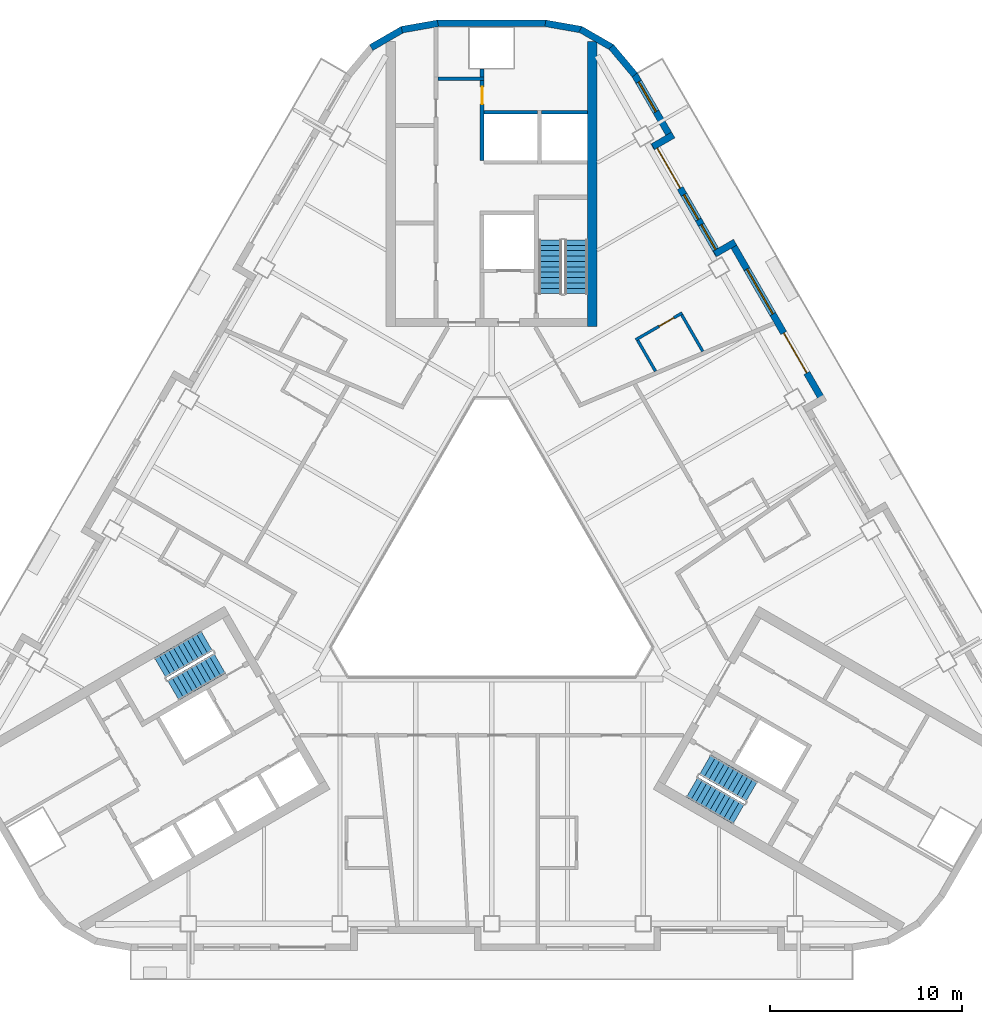
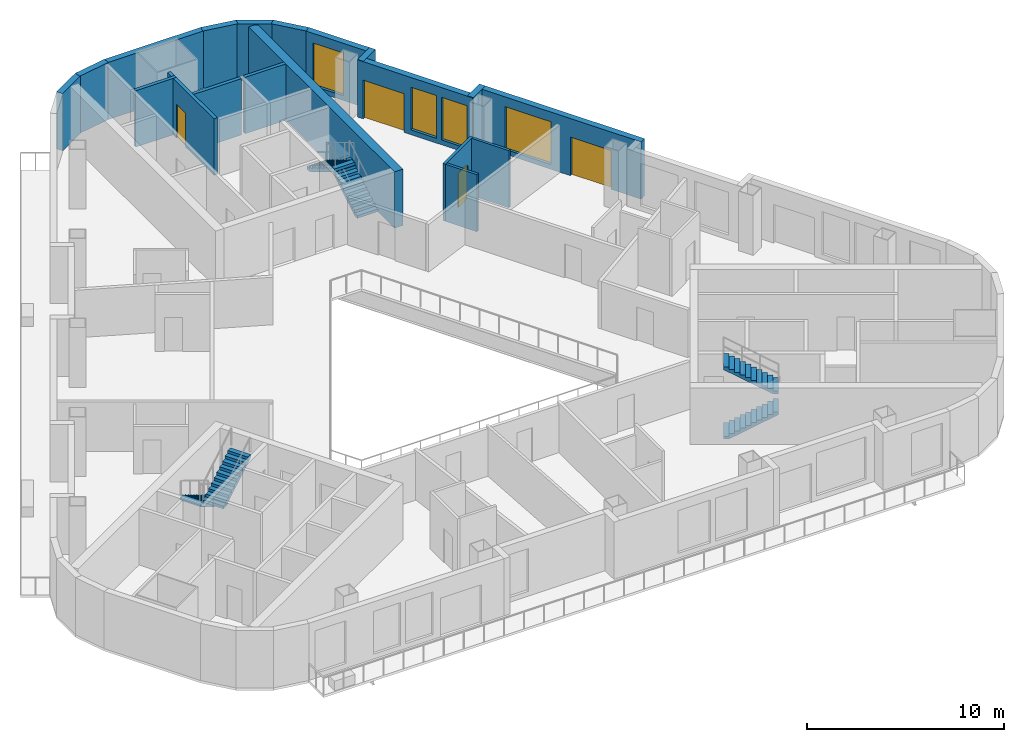
# One storey, part 7 of 13: 20 walls, 6 stair flights, 4 doors, 4 windows, 8 openings, 3 elements without a shape of their own.
"""IFC4 building model written with IfcOpenShell, lengths in metres."""

from ifc_helpers import new_model, si_unit, direction, frame, frame_2d, origin, place, context, subcontext, project, spatial, polyline, rectangle, outline, extrude, material, layer, layer_set, type_object, element, fill, aggregate, save


model = new_model("IFC4")

# Units and contexts
model_context = context("Model", 3, precision=1e-05, world=origin(), true_north=direction((0.0, 1.0)))
body_context = subcontext(model_context, "Body", "Model", "MODEL_VIEW")
ifc_project = project(units=[si_unit("LENGTHUNIT", "METRE"), si_unit("AREAUNIT", "SQUARE_METRE"), si_unit("VOLUMEUNIT", "CUBIC_METRE"), si_unit("PLANEANGLEUNIT", "RADIAN"), si_unit("MASSUNIT", "GRAM", prefix="KILO")], contexts=[model_context])

# Site, building, storey
site_placement = place(None, origin())
site = spatial("IfcSite", under=ifc_project, at=site_placement, CompositionType="ELEMENT")
building_placement = place(site_placement, origin())
building = spatial("IfcBuilding", under=site, at=building_placement, Name="Apuvela Tower Hotel", CompositionType="ELEMENT")
storey_placement = place(building_placement, frame((0.0, 0.0, 165.10009765625)))
storey = spatial("IfcBuildingStorey", under=building, at=storey_placement, Name="L39", CompositionType="ELEMENT", Elevation=165.10009765625)

# Walls
ifc_material_1 = material(Name="Concrete C50/60", Category="concrete")
ifc_layer_1 = layer(ifc_material_1, 0.5)
ifc_layer_set_1 = layer_set([ifc_layer_1], Name="COR-WALL-CORE-500")
wall_type_1 = type_object("IfcWallType", Name="COR-WALL-CORE-500", PredefinedType="SHEAR", material=ifc_layer_set_1)
wall_1_placement = place(storey_placement, frame((5.25, 12.89990234375, 0.0), z_axis=(0.0, 0.0, 1.0), x_axis=(0.0, 1.0, 0.0)))
element("IfcWall", 1, at=wall_1_placement, inside=storey, type_object=wall_type_1, Name="Core wall N", PredefinedType="SHEAR", context=body_context, shape_type="SweptSolid", body=[
    extrude(rectangle(XDim=14.8369140625, YDim=0.5, at=frame_2d((7.41845703125, 0.0))), origin(), (0.0, 0.0, 1.0), 3.5),
])
ifc_layer_2 = layer(ifc_material_1, 0.199951171875)
ifc_layer_set_2 = layer_set([ifc_layer_2], Name="COR-WALL-SHAFT-200")
wall_type_2 = type_object("IfcWallType", Name="COR-WALL-SHAFT-200", PredefinedType="SHEAR", material=ifc_layer_set_2)
wall_2_placement = place(storey_placement, frame((-0.39990234375, 25.800048828125, 0.0), z_axis=(0.0, 0.0, 1.0), x_axis=(-1.0, 0.0, 0.0)))
element("IfcWall", 2, at=wall_2_placement, inside=storey, type_object=wall_type_2, Name="Shaft wall N", PredefinedType="SHEAR", context=body_context, shape_type="SweptSolid", body=[
    extrude(rectangle(XDim=2.400146484375, YDim=0.199951171875, at=frame_2d((1.2001953125, 0.0))), origin(), (0.0, 0.0, 1.0), 3.5),
])

# Wall, opening, door
wall_3_placement = place(storey_placement, frame((-0.5, 21.550048828125, 0.0), z_axis=(0.0, 0.0, 1.0), x_axis=(0.0, 1.0, 0.0)))
wall_3 = element("IfcWall", 3, at=wall_3_placement, inside=storey, type_object=wall_type_2, Name="Shaft wall N", PredefinedType="SHEAR", context=body_context, shape_type="SweptSolid", body=[
    extrude(rectangle(XDim=4.14990234375, YDim=0.199951171875, at=frame_2d((2.074951171875, 0.0))), origin(), (0.0, 0.0, 1.0), 3.5),
])
opening_1_placement = place(wall_3_placement, frame((2.925048828125, 0.0, 0.0)))
opening_1 = element("IfcOpeningElement", 4, at=opening_1_placement, cuts=wall_3, Name="Opening N-RSP", PredefinedType="OPENING", context=body_context, shape_type="SweptSolid", body=[
    extrude(rectangle(XDim=0.89990234375, YDim=2.10009765625, at=frame_2d((0.449951171875, 1.050048828125))), frame((0.0, 0.10986328125, 0.0), z_axis=(0.0, -1.0, 0.0), x_axis=(1.0, 0.0, 0.0)), (0.0, 0.0, 1.0), 0.219970703125),
])
ifc_material_2 = material(Name="Steel fire door, powder coated", Category="steel")
door_type_1 = type_object("IfcDoorType", Name="COR-DR-900", OperationType="NOTDEFINED", PredefinedType="DOOR", material=ifc_material_2)
door_1_placement = place(opening_1_placement, frame((0.89990234375, 0.0, 0.0), z_axis=(0.0, 0.0, 1.0), x_axis=(-1.0, 0.0, 0.0)))
door_1 = element("IfcDoor", 5, at=door_1_placement, inside=storey, type_object=door_type_1, Name="Store door N-RSP", OperationType="SINGLE_SWING_LEFT", OverallHeight=2.10009765625, OverallWidth=0.89990234375, PredefinedType="DOOR", context=body_context, shape_type="SweptSolid", body=[
    extrude(rectangle(XDim=0.89990234375, YDim=2.10009765625, at=frame_2d((0.449951171875, 1.050048828125))), frame((0.0, 0.02490234375, 0.0), z_axis=(0.0, -1.0, 0.0), x_axis=(1.0, 0.0, 0.0)), (0.0, 0.0, 1.0), 0.050048828125),
])
fill(opening_1, door_1)

# Walls
wall_4_placement = place(storey_placement, frame((-0.5, 25.89990234375, 0.0), z_axis=(0.0, 0.0, 1.0), x_axis=(0.0, 1.0, 0.0)))
element("IfcWall", 6, at=wall_4_placement, inside=storey, type_object=wall_type_2, Name="Shaft wall N", PredefinedType="SHEAR", context=body_context, shape_type="SweptSolid", body=[
    extrude(rectangle(XDim=0.400146484375, YDim=0.199951171875, at=frame_2d((0.2001953125, 0.0))), origin(), (0.0, 0.0, 1.0), 3.5),
])
wall_5_placement = place(storey_placement, frame((5.0, 24.050048828125, 0.0), z_axis=(0.0, 0.0, 1.0), x_axis=(-1.0, 0.0, 0.0)))
element("IfcWall", 7, at=wall_5_placement, inside=storey, type_object=wall_type_2, Name="Shaft wall N", PredefinedType="SHEAR", context=body_context, shape_type="SweptSolid", body=[
    extrude(rectangle(XDim=2.39990234375, YDim=0.199951171875, at=frame_2d((1.199951171875, 0.0))), origin(), (0.0, 0.0, 1.0), 3.5),
])
wall_6_placement = place(storey_placement, frame((2.39990234375, 24.050048828125, 0.0), z_axis=(0.0, 0.0, 1.0), x_axis=(-1.0, 0.0, 0.0)))
element("IfcWall", 8, at=wall_6_placement, inside=storey, type_object=wall_type_2, Name="Shaft wall N", PredefinedType="SHEAR", context=body_context, shape_type="SweptSolid", body=[
    extrude(rectangle(XDim=2.7998046875, YDim=0.199951171875, at=frame_2d((1.39990234375, 0.0))), origin(), (0.0, 0.0, 1.0), 3.5),
])

# Wall, openings, door, window
ifc_material_3 = material(Name="Concrete C40/50, dark pigmented precast panel", Category="concrete")
ifc_layer_3 = layer(ifc_material_3, 0.35009765625)
ifc_layer_set_3 = layer_set([ifc_layer_3], Name="ENV-WALL-350")
wall_type_3 = type_object("IfcWallType", Name="ENV-WALL-350", PredefinedType="SOLIDWALL", material=ifc_layer_set_3)
wall_7_placement = place(storey_placement, frame((17.298583984375, 8.947998046875, 0.0), z_axis=(0.0, 0.0, 1.0), x_axis=(-0.500010041276, 0.866019606374, 0.0)))
wall_7 = element("IfcWall", 9, at=wall_7_placement, inside=storey, type_object=wall_type_3, Name="External wall L39-37", PredefinedType="SOLIDWALL", context=body_context, shape_type="SweptSolid", body=[
    extrude(rectangle(XDim=9.699951171875, YDim=0.35009765625, at=frame_2d((4.85009765625, 0.0))), origin(), (0.0, 0.0, 1.0), 3.5498046875),
])
opening_2_placement = place(wall_7_placement, frame((1.761962890625, 0.0, 0.0)))
opening_2 = element("IfcOpeningElement", 10, at=opening_2_placement, cuts=wall_7, Name="Opening BD24", PredefinedType="OPENING", context=body_context, shape_type="SweptSolid", body=[
    extrude(rectangle(XDim=2.39990234375, YDim=2.39990234375, at=frame_2d((1.199951171875, 1.199951171875))), frame((0.0, 0.18505859375, 0.0), z_axis=(0.0, -1.0, 0.0), x_axis=(1.0, 0.0, 0.0)), (0.0, 0.0, 1.0), 0.3701171875),
])
opening_3_placement = place(wall_7_placement, frame((5.301025390625, 0.0, 0.300048828125)))
opening_3 = element("IfcOpeningElement", 11, at=opening_3_placement, cuts=wall_7, Name="Opening WN27", PredefinedType="OPENING", context=body_context, shape_type="SweptSolid", body=[
    extrude(rectangle(XDim=2.699951171875, YDim=2.64990234375, at=frame_2d((1.35009765625, 1.324951171875))), frame((0.0, 0.18505859375, 0.0), z_axis=(0.0, -1.0, 0.0), x_axis=(1.0, 0.0, 0.0)), (0.0, 0.0, 1.0), 0.3701171875),
])
ifc_material_4 = material(Name="Aluminium 6063-T6, dark bronze anodised frame with dark tinted laminated glass", Category="aluminium")
door_type_2 = type_object("IfcDoorType", Name="ENV-DOOR-BALCONY-2400x2400", OperationType="SLIDING_TO_LEFT", PredefinedType="DOOR", material=ifc_material_4)
door_2_placement = place(opening_2_placement, frame((2.39990234375, 0.0, 0.0), z_axis=(0.0, 0.0, 1.0), x_axis=(-1.0, 0.0, 0.0)))
door_2 = element("IfcDoor", 12, at=door_2_placement, inside=storey, type_object=door_type_2, Name="Balcony door BD24", OperationType="SLIDING_TO_LEFT", OverallHeight=2.39990234375, OverallWidth=2.39990234375, PredefinedType="DOOR", context=body_context, shape_type="SweptSolid", body=[
    extrude(rectangle(XDim=2.39990234375, YDim=2.39990234375, at=frame_2d((1.199951171875, 1.199951171875))), frame((0.0, 0.02490234375, 0.0), z_axis=(0.0, -1.0, 0.0), x_axis=(1.0, 0.0, 0.0)), (0.0, 0.0, 1.0), 0.050048828125),
])
fill(opening_2, door_2)
ifc_material_5 = material(Name="Glass, dark tinted laminated insulated glazing unit", Category="glass")
window_type_1 = type_object("IfcWindowType", Name="ENV-WIN-2700x2650", PartitioningType="SINGLE_PANEL", PredefinedType="WINDOW", material=ifc_material_5)
window_1_placement = place(opening_3_placement, origin())
window_1 = element("IfcWindow", 13, at=window_1_placement, inside=storey, type_object=window_type_1, Name="Window WN27", OverallHeight=2.64990234375, OverallWidth=2.699951171875, PartitioningType="SINGLE_PANEL", PredefinedType="WINDOW", context=body_context, shape_type="SweptSolid", body=[
    extrude(rectangle(XDim=2.699951171875, YDim=2.64990234375, at=frame_2d((1.35009765625, 1.324951171875))), frame((0.0, 0.030029296875, 0.0), z_axis=(0.0, -1.0, 0.0), x_axis=(1.0, 0.0, 0.0)), (0.0, 0.0, 1.0), 0.06005859375),
])
fill(opening_3, window_1)

# Wall
wall_8_placement = place(storey_placement, frame((12.6875, 17.284423828125, 0.0), z_axis=(0.0, 0.0, 1.0), x_axis=(-0.865955602162, -0.500120880472, 0.0)))
element("IfcWall", 14, at=wall_8_placement, inside=storey, type_object=wall_type_3, Name="External wall L39-38", PredefinedType="SOLIDWALL", context=body_context, shape_type="SweptSolid", body=[
    extrude(rectangle(XDim=1.219970703125, YDim=0.35009765625, at=frame_2d((0.60986328125, 0.0))), origin(), (0.0, 0.0, 1.0), 3.5498046875),
])

# Wall, openings, door, windows
wall_9_placement = place(storey_placement, frame((11.8291015625, 16.621337890625, 0.0), z_axis=(0.0, 0.0, 1.0), x_axis=(-0.500003597184, 0.866023326939, 0.0)))
wall_9 = element("IfcWall", 15, at=wall_9_placement, inside=storey, type_object=wall_type_3, Name="External wall L39-39", PredefinedType="SOLIDWALL", context=body_context, shape_type="SweptSolid", body=[
    extrude(rectangle(XDim=6.740234375, YDim=0.35009765625, at=frame_2d((3.3701171875, 0.0))), origin(), (0.0, 0.0, 1.0), 3.5498046875),
])
opening_4_placement = place(wall_9_placement, frame((4.01953125, 0.0, 0.0)))
opening_4 = element("IfcOpeningElement", 16, at=opening_4_placement, cuts=wall_9, Name="Opening BD24", PredefinedType="OPENING", context=body_context, shape_type="SweptSolid", body=[
    extrude(rectangle(XDim=2.39990234375, YDim=2.39990234375, at=frame_2d((1.199951171875, 1.199951171875))), frame((0.0, 0.18505859375, 0.0), z_axis=(0.0, -1.0, 0.0), x_axis=(1.0, 0.0, 0.0)), (0.0, 0.0, 1.0), 0.3701171875),
])
opening_5_placement = place(wall_9_placement, frame((0.320068359375, 0.0, 0.300048828125)))
opening_5 = element("IfcOpeningElement", 17, at=opening_5_placement, cuts=wall_9, Name="Opening WN15", PredefinedType="OPENING", context=body_context, shape_type="SweptSolid", body=[
    extrude(rectangle(XDim=1.5, YDim=2.64990234375, at=frame_2d((0.75, 1.324951171875))), frame((0.0, 0.18505859375, 0.0), z_axis=(0.0, -1.0, 0.0), x_axis=(1.0, 0.0, 0.0)), (0.0, 0.0, 1.0), 0.3701171875),
])
opening_6_placement = place(wall_9_placement, frame((2.1201171875, 0.0, 0.300048828125)))
opening_6 = element("IfcOpeningElement", 18, at=opening_6_placement, cuts=wall_9, Name="Opening WN15", PredefinedType="OPENING", context=body_context, shape_type="SweptSolid", body=[
    extrude(rectangle(XDim=1.5, YDim=2.64990234375, at=frame_2d((0.75, 1.324951171875))), frame((0.0, 0.18505859375, 0.0), z_axis=(0.0, -1.0, 0.0), x_axis=(1.0, 0.0, 0.0)), (0.0, 0.0, 1.0), 0.3701171875),
])
door_3_placement = place(opening_4_placement, frame((2.39990234375, 0.0, 0.0), z_axis=(0.0, 0.0, 1.0), x_axis=(-1.0, 0.0, 0.0)))
door_3 = element("IfcDoor", 19, at=door_3_placement, inside=storey, type_object=door_type_2, Name="Balcony door BD24", OperationType="SLIDING_TO_LEFT", OverallHeight=2.39990234375, OverallWidth=2.39990234375, PredefinedType="DOOR", context=body_context, shape_type="SweptSolid", body=[
    extrude(rectangle(XDim=2.39990234375, YDim=2.39990234375, at=frame_2d((1.199951171875, 1.199951171875))), frame((0.0, 0.02490234375, 0.0), z_axis=(0.0, -1.0, 0.0), x_axis=(1.0, 0.0, 0.0)), (0.0, 0.0, 1.0), 0.050048828125),
])
fill(opening_4, door_3)
window_type_2 = type_object("IfcWindowType", Name="ENV-WIN-1500x2650", PartitioningType="SINGLE_PANEL", PredefinedType="WINDOW", material=ifc_material_5)
window_2_placement = place(opening_5_placement, origin())
window_2 = element("IfcWindow", 20, at=window_2_placement, inside=storey, type_object=window_type_2, Name="Window WN15", OverallHeight=2.64990234375, OverallWidth=1.5, PartitioningType="SINGLE_PANEL", PredefinedType="WINDOW", context=body_context, shape_type="SweptSolid", body=[
    extrude(rectangle(XDim=1.5, YDim=2.64990234375, at=frame_2d((0.75, 1.324951171875))), frame((0.0, 0.030029296875, 0.0), z_axis=(0.0, -1.0, 0.0), x_axis=(1.0, 0.0, 0.0)), (0.0, 0.0, 1.0), 0.06005859375),
])
fill(opening_5, window_2)
window_3_placement = place(opening_6_placement, origin())
window_3 = element("IfcWindow", 21, at=window_3_placement, inside=storey, type_object=window_type_2, Name="Window WN15", OverallHeight=2.64990234375, OverallWidth=1.5, PartitioningType="SINGLE_PANEL", PredefinedType="WINDOW", context=body_context, shape_type="SweptSolid", body=[
    extrude(rectangle(XDim=1.5, YDim=2.64990234375, at=frame_2d((0.75, 1.324951171875))), frame((0.0, 0.030029296875, 0.0), z_axis=(0.0, -1.0, 0.0), x_axis=(1.0, 0.0, 0.0)), (0.0, 0.0, 1.0), 0.06005859375),
])
fill(opening_6, window_3)

# Wall
wall_10_placement = place(storey_placement, frame((8.406005859375, 22.26025390625, 0.0), z_axis=(0.0, 0.0, 1.0), x_axis=(0.865955602162, 0.500120880472, 0.0)))
element("IfcWall", 22, at=wall_10_placement, inside=storey, type_object=wall_type_3, Name="External wall L39-40", PredefinedType="SOLIDWALL", context=body_context, shape_type="SweptSolid", body=[
    extrude(rectangle(XDim=1.219970703125, YDim=0.35009765625, at=frame_2d((0.60986328125, 0.0))), origin(), (0.0, 0.0, 1.0), 3.5498046875),
])

# Wall, opening, window
wall_11_placement = place(storey_placement, frame((9.3984375, 22.631103515625, 0.0), z_axis=(0.0, 0.0, 1.0), x_axis=(-0.499954521343, 0.866051659307, 0.0)))
wall_11 = element("IfcWall", 23, at=wall_11_placement, inside=storey, type_object=wall_type_3, Name="External wall L39-41", PredefinedType="SOLIDWALL", context=body_context, shape_type="SweptSolid", body=[
    extrude(rectangle(XDim=3.915771484375, YDim=0.35009765625, at=frame_2d((1.9580078125, 0.0))), origin(), (0.0, 0.0, 1.0), 3.5498046875),
])
opening_7_placement = place(wall_11_placement, frame((1.67529296875, 0.0, 0.300048828125)))
opening_7 = element("IfcOpeningElement", 24, at=opening_7_placement, cuts=wall_11, Name="Opening WN18", PredefinedType="OPENING", context=body_context, shape_type="SweptSolid", body=[
    extrude(rectangle(XDim=1.800048828125, YDim=2.64990234375, at=frame_2d((0.89990234375, 1.324951171875))), frame((0.0, 0.18505859375, 0.0), z_axis=(0.0, -1.0, 0.0), x_axis=(1.0, 0.0, 0.0)), (0.0, 0.0, 1.0), 0.3701171875),
])
window_type_3 = type_object("IfcWindowType", Name="ENV-WIN-1800x2650", PartitioningType="SINGLE_PANEL", PredefinedType="WINDOW", material=ifc_material_5)
window_4_placement = place(opening_7_placement, origin())
window_4 = element("IfcWindow", 25, at=window_4_placement, inside=storey, type_object=window_type_3, Name="Window WN18", OverallHeight=2.64990234375, OverallWidth=1.800048828125, PartitioningType="SINGLE_PANEL", PredefinedType="WINDOW", context=body_context, shape_type="SweptSolid", body=[
    extrude(rectangle(XDim=1.800048828125, YDim=2.64990234375, at=frame_2d((0.89990234375, 1.324951171875))), frame((0.0, 0.030029296875, 0.0), z_axis=(0.0, -1.0, 0.0), x_axis=(1.0, 0.0, 0.0)), (0.0, 0.0, 1.0), 0.06005859375),
])
fill(opening_7, window_4)

# Walls
wall_12_placement = place(storey_placement, frame((7.4580078125, 25.99755859375, 0.0), z_axis=(0.0, 0.0, 1.0), x_axis=(-0.642808304945, 0.766027077259, 0.0)))
element("IfcWall", 26, at=wall_12_placement, inside=storey, type_object=wall_type_3, Name="External wall L39-42", PredefinedType="SOLIDWALL", context=body_context, shape_type="SweptSolid", body=[
    extrude(rectangle(XDim=1.909912109375, YDim=0.35009765625, at=frame_2d((0.955078125, 0.0))), origin(), (0.0, 0.0, 1.0), 3.5498046875),
])
for number, where, z_axis, x_axis, name in (
    (27, (6.27685546875, 27.421630859375, 0.0), (0.0, 0.0, 1.0), (-0.866032345022, 0.499987977232, 0.0), "External wall L39-43"),
    (28, (4.6796875, 28.35595703125, 0.0), (0.0, 0.0, 1.0), (-0.984798995425, 0.173697837091, 0.0), "External wall L39-44"),
):
    element("IfcWall", number, at=place(storey_placement, frame(where, z_axis=z_axis, x_axis=x_axis)), inside=storey, type_object=wall_type_3, Name=name, PredefinedType="SOLIDWALL", context=body_context, shape_type="SweptSolid", body=[
        extrude(rectangle(XDim=1.91015625, YDim=0.35009765625, at=frame_2d((0.955078125, 0.0))), origin(), (0.0, 0.0, 1.0), 3.5498046875),
    ])
wall_13_placement = place(storey_placement, frame((2.8291015625, 28.68505859375, 0.0), z_axis=(0.0, 0.0, 1.0), x_axis=(-1.0, 0.0, 0.0)))
element("IfcWall", 29, at=wall_13_placement, inside=storey, type_object=wall_type_3, Name="External wall L39-45", PredefinedType="SOLIDWALL", context=body_context, shape_type="SweptSolid", body=[
    extrude(rectangle(XDim=5.658203125, YDim=0.35009765625, at=frame_2d((2.8291015625, 0.0))), origin(), (0.0, 0.0, 1.0), 3.5498046875),
])
for number, where, z_axis, x_axis, name in (
    (30, (-2.798583984375, 28.687744140625, 0.0), (0.0, 0.0, 1.0), (-0.984798995425, -0.173697837091, 0.0), "External wall L39-46"),
    (31, (-4.62255859375, 28.376708984375, 0.0), (0.0, 0.0, 1.0), (-0.866032345022, -0.499987977232, 0.0), "External wall L39-47"),
):
    element("IfcWall", number, at=place(storey_placement, frame(where, z_axis=z_axis, x_axis=x_axis)), inside=storey, type_object=wall_type_3, Name=name, PredefinedType="SOLIDWALL", context=body_context, shape_type="SweptSolid", body=[
        extrude(rectangle(XDim=1.91015625, YDim=0.35009765625, at=frame_2d((0.955078125, 0.0))), origin(), (0.0, 0.0, 1.0), 3.5498046875),
    ])

# Wall, opening, door
ifc_material_6 = material(Name="Moisture-resistant gypsum board wet wall on steel stud", Category="steel")
ifc_layer_4 = layer(ifc_material_6, 0.14990234375)
ifc_layer_set_4 = layer_set([ifc_layer_4], Name="GST-PW3")
wall_type_4 = type_object("IfcWallType", Name="GST-PW3", PredefinedType="PARTITIONING", material=ifc_layer_set_4)
wall_14_placement = place(storey_placement, frame((9.9306640625, 13.599609375, 0.0), z_axis=(0.0, 0.0, 1.0), x_axis=(-0.866034573852, -0.49998411664, 0.0)))
wall_14 = element("IfcWall", 32, at=wall_14_placement, inside=storey, type_object=wall_type_4, Name="L39 partition 26", PredefinedType="PARTITIONING", context=body_context, shape_type="SweptSolid", body=[
    extrude(rectangle(XDim=2.7998046875, YDim=0.14990234375, at=frame_2d((1.39990234375, 0.0))), origin(), (0.0, 0.0, 1.0), 3.5498046875),
])
opening_8_placement = place(wall_14_placement, frame((0.5, 0.0, 0.0)))
opening_8 = element("IfcOpeningElement", 33, at=opening_8_placement, cuts=wall_14, Name="Opening GD14-11", PredefinedType="OPENING", context=body_context, shape_type="SweptSolid", body=[
    extrude(rectangle(XDim=0.89990234375, YDim=2.10009765625, at=frame_2d((0.449951171875, 1.050048828125))), frame((0.0, 0.0849609375, 0.0), z_axis=(0.0, -1.0, 0.0), x_axis=(1.0, 0.0, 0.0)), (0.0, 0.0, 1.0), 0.169921875),
])
ifc_material_7 = material(Name="Timber door leaf in steel frame", Category="steel")
door_type_3 = type_object("IfcDoorType", Name="GST-D2", OperationType="NOTDEFINED", PredefinedType="DOOR", material=ifc_material_7)
door_4_placement = place(opening_8_placement, origin())
door_4 = element("IfcDoor", 34, at=door_4_placement, inside=storey, type_object=door_type_3, Name="Door L39-11", OperationType="SINGLE_SWING_LEFT", OverallHeight=2.10009765625, OverallWidth=0.89990234375, PredefinedType="DOOR", context=body_context, shape_type="SweptSolid", body=[
    extrude(rectangle(XDim=0.89990234375, YDim=2.10009765625, at=frame_2d((0.449951171875, 1.050048828125))), frame((0.0, 0.02490234375, 0.0), z_axis=(0.0, -1.0, 0.0), x_axis=(1.0, 0.0, 0.0)), (0.0, 0.0, 1.0), 0.050048828125),
])
fill(opening_8, door_4)

# Walls
wall_15_placement = place(storey_placement, frame((10.998779296875, 11.599609375, 0.0), z_axis=(0.0, 0.0, 1.0), x_axis=(-0.499937856693, 0.866061279267, 0.0)))
element("IfcWall", 35, at=wall_15_placement, inside=storey, type_object=wall_type_4, Name="L39 partition 27", PredefinedType="PARTITIONING", context=body_context, shape_type="SweptSolid", body=[
    extrude(rectangle(XDim=2.191162109375, YDim=0.14990234375, at=frame_2d((1.095703125, 0.0))), origin(), (0.0, 0.0, 1.0), 3.5498046875),
])
wall_16_placement = place(storey_placement, frame((8.537841796875, 10.56201171875, 0.0), z_axis=(0.0, 0.0, 1.0), x_axis=(-0.500036928615, 0.866004081989, 0.0)))
element("IfcWall", 36, at=wall_16_placement, inside=storey, type_object=wall_type_4, Name="L39 partition 28", PredefinedType="PARTITIONING", context=body_context, shape_type="SweptSolid", body=[
    extrude(rectangle(XDim=1.859130859375, YDim=0.14990234375, at=frame_2d((0.9296875, 0.0))), origin(), (0.0, 0.0, 1.0), 3.5498046875),
])

# Stair, stair flights
stair_type = type_object("IfcStairType", Name="COR-STAIR-22R", PredefinedType="HALF_TURN_STAIR", material=ifc_material_1)
stair_1_placement = place(storey_placement, origin())
stair_1 = element("IfcStair", 37, at=stair_1_placement, inside=storey, type_object=stair_type, Name="L39 Exit stair ST1", PredefinedType="HALF_TURN_STAIR")
stair_flight_type = type_object("IfcStairFlightType", Name="COR-FLIGHT-11R", PredefinedType="STRAIGHT", material=ifc_material_1)
stair_flight_1_placement = place(storey_placement, frame((4.39990234375, 14.60009765625, 0.0), z_axis=(0.0, 0.0, 1.0), x_axis=(0.0, 1.0, 0.0)))
stair_flight_1 = element("IfcStairFlight", 38, at=stair_flight_1_placement, type_object=stair_flight_type, Name="ST1 flight 1", NumberOfRisers=11, NumberOfTreads=10, PredefinedType="STRAIGHT", RiserHeight=0.168181818, TreadLength=0.28, context=body_context, shape_type="SweptSolid", body=[
    extrude(outline(polyline([(0.0, 0.0), (0.0, 0.168212890625), (0.280029296875, 0.168212890625), (0.280029296875, 0.33642578125), (0.56005859375, 0.33642578125), (0.56005859375, 0.504638671875), (0.840087890625, 0.504638671875), (0.840087890625, 0.672607421875), (1.1201171875, 0.672607421875), (1.1201171875, 0.8408203125), (1.39990234375, 0.8408203125), (1.39990234375, 1.009033203125), (1.679931640625, 1.009033203125), (1.679931640625, 1.17724609375), (1.9599609375, 1.17724609375), (1.9599609375, 1.345458984375), (2.239990234375, 1.345458984375), (2.239990234375, 1.513671875), (2.52001953125, 1.513671875), (2.52001953125, 1.681884765625), (2.800048828125, 1.681884765625), (2.800048828125, 1.85009765625), (2.800048828125, 1.5068359375), (0.291015625, 0.0), (0.0, 0.0)])), frame((0.0, 0.60009765625, 0.0), z_axis=(0.0, -1.0, 0.0), x_axis=(1.0, 0.0, 0.0)), (0.0, 0.0, 1.0), 1.199951171875),
])
stair_flight_2_placement = place(storey_placement, frame((3.050048828125, 17.39990234375, 1.849853515625), z_axis=(0.0, 0.0, 1.0), x_axis=(0.0, -1.0, 0.0)))
stair_flight_2 = element("IfcStairFlight", 39, at=stair_flight_2_placement, type_object=stair_flight_type, Name="ST1 flight 2", NumberOfRisers=11, NumberOfTreads=10, PredefinedType="STRAIGHT", RiserHeight=0.168181818, TreadLength=0.28, context=body_context, shape_type="SweptSolid", body=[
    extrude(outline(polyline([(0.0, 0.0), (0.0, 0.168212890625), (0.280029296875, 0.168212890625), (0.280029296875, 0.33642578125), (0.56005859375, 0.33642578125), (0.56005859375, 0.504638671875), (0.840087890625, 0.504638671875), (0.840087890625, 0.672607421875), (1.1201171875, 0.672607421875), (1.1201171875, 0.8408203125), (1.39990234375, 0.8408203125), (1.39990234375, 1.009033203125), (1.679931640625, 1.009033203125), (1.679931640625, 1.17724609375), (1.9599609375, 1.17724609375), (1.9599609375, 1.345458984375), (2.239990234375, 1.345458984375), (2.239990234375, 1.513671875), (2.52001953125, 1.513671875), (2.52001953125, 1.681884765625), (2.800048828125, 1.681884765625), (2.800048828125, 1.85009765625), (2.800048828125, 1.5068359375), (0.291015625, 0.0), (0.0, 0.0)])), frame((0.0, 0.60009765625, 0.0), z_axis=(0.0, -1.0, 0.0), x_axis=(1.0, 0.0, 0.0)), (0.0, 0.0, 1.0), 1.199951171875),
])
aggregate(stair_1, [stair_flight_1, stair_flight_2])

stair_2_placement = place(storey_placement, origin())
stair_2 = element("IfcStair", 40, at=stair_2_placement, inside=storey, type_object=stair_type, Name="L39 Exit stair ST2", PredefinedType="HALF_TURN_STAIR")
stair_flight_3_placement = place(storey_placement, frame((-14.843994140625, -3.489501953125, 0.0), z_axis=(0.0, 0.0, 1.0), x_axis=(-0.866025403784, -0.5, 0.0)))
stair_flight_3 = element("IfcStairFlight", 41, at=stair_flight_3_placement, type_object=stair_flight_type, Name="ST2 flight 1", NumberOfRisers=11, NumberOfTreads=10, PredefinedType="STRAIGHT", RiserHeight=0.168181818, TreadLength=0.28, context=body_context, shape_type="SweptSolid", body=[
    extrude(outline(polyline([(0.0, 0.0), (0.0, 0.168212890625), (0.280029296875, 0.168212890625), (0.280029296875, 0.33642578125), (0.56005859375, 0.33642578125), (0.56005859375, 0.504638671875), (0.840087890625, 0.504638671875), (0.840087890625, 0.672607421875), (1.1201171875, 0.672607421875), (1.1201171875, 0.8408203125), (1.39990234375, 0.8408203125), (1.39990234375, 1.009033203125), (1.679931640625, 1.009033203125), (1.679931640625, 1.17724609375), (1.9599609375, 1.17724609375), (1.9599609375, 1.345458984375), (2.239990234375, 1.345458984375), (2.239990234375, 1.513671875), (2.52001953125, 1.513671875), (2.52001953125, 1.681884765625), (2.800048828125, 1.681884765625), (2.800048828125, 1.85009765625), (2.800048828125, 1.5068359375), (0.291015625, 0.0), (0.0, 0.0)])), frame((0.0, 0.60009765625, 0.0), z_axis=(0.0, -1.0, 0.0), x_axis=(1.0, 0.0, 0.0)), (0.0, 0.0, 1.0), 1.199951171875),
])
stair_flight_4_placement = place(storey_placement, frame((-16.59375, -6.05859375, 1.849853515625), z_axis=(0.0, 0.0, 1.0), x_axis=(0.866025403784, 0.5, 0.0)))
stair_flight_4 = element("IfcStairFlight", 42, at=stair_flight_4_placement, type_object=stair_flight_type, Name="ST2 flight 2", NumberOfRisers=11, NumberOfTreads=10, PredefinedType="STRAIGHT", RiserHeight=0.168181818, TreadLength=0.28, context=body_context, shape_type="SweptSolid", body=[
    extrude(outline(polyline([(0.0, 0.0), (0.0, 0.168212890625), (0.280029296875, 0.168212890625), (0.280029296875, 0.33642578125), (0.56005859375, 0.33642578125), (0.56005859375, 0.504638671875), (0.840087890625, 0.504638671875), (0.840087890625, 0.672607421875), (1.1201171875, 0.672607421875), (1.1201171875, 0.8408203125), (1.39990234375, 0.8408203125), (1.39990234375, 1.009033203125), (1.679931640625, 1.009033203125), (1.679931640625, 1.17724609375), (1.9599609375, 1.17724609375), (1.9599609375, 1.345458984375), (2.239990234375, 1.345458984375), (2.239990234375, 1.513671875), (2.52001953125, 1.513671875), (2.52001953125, 1.681884765625), (2.800048828125, 1.681884765625), (2.800048828125, 1.85009765625), (2.800048828125, 1.5068359375), (0.291015625, 0.0), (0.0, 0.0)])), frame((0.0, 0.60009765625, 0.0), z_axis=(0.0, -1.0, 0.0), x_axis=(1.0, 0.0, 0.0)), (0.0, 0.0, 1.0), 1.199951171875),
])
aggregate(stair_2, [stair_flight_3, stair_flight_4])

stair_3_placement = place(storey_placement, origin())
stair_3 = element("IfcStair", 43, at=stair_3_placement, inside=storey, type_object=stair_type, Name="L39 Exit stair ST3", PredefinedType="HALF_TURN_STAIR")
stair_flight_5_placement = place(storey_placement, frame((10.444091796875, -11.110595703125, 0.0), z_axis=(0.0, 0.0, 1.0), x_axis=(0.866025403784, -0.5, 0.0)))
stair_flight_5 = element("IfcStairFlight", 44, at=stair_flight_5_placement, type_object=stair_flight_type, Name="ST3 flight 1", NumberOfRisers=11, NumberOfTreads=10, PredefinedType="STRAIGHT", RiserHeight=0.168181818, TreadLength=0.28, context=body_context, shape_type="SweptSolid", body=[
    extrude(outline(polyline([(0.0, 0.0), (0.0, 0.168212890625), (0.280029296875, 0.168212890625), (0.280029296875, 0.33642578125), (0.56005859375, 0.33642578125), (0.56005859375, 0.504638671875), (0.840087890625, 0.504638671875), (0.840087890625, 0.672607421875), (1.1201171875, 0.672607421875), (1.1201171875, 0.8408203125), (1.39990234375, 0.8408203125), (1.39990234375, 1.009033203125), (1.679931640625, 1.009033203125), (1.679931640625, 1.17724609375), (1.9599609375, 1.17724609375), (1.9599609375, 1.345458984375), (2.239990234375, 1.345458984375), (2.239990234375, 1.513671875), (2.52001953125, 1.513671875), (2.52001953125, 1.681884765625), (2.800048828125, 1.681884765625), (2.800048828125, 1.85009765625), (2.800048828125, 1.5068359375), (0.291015625, 0.0), (0.0, 0.0)])), frame((0.0, 0.60009765625, 0.0), z_axis=(0.0, -1.0, 0.0), x_axis=(1.0, 0.0, 0.0)), (0.0, 0.0, 1.0), 1.199951171875),
])
stair_flight_6_placement = place(storey_placement, frame((13.5439453125, -11.34130859375, 1.849853515625), z_axis=(0.0, 0.0, 1.0), x_axis=(-0.866025403784, 0.5, 0.0)))
stair_flight_6 = element("IfcStairFlight", 45, at=stair_flight_6_placement, type_object=stair_flight_type, Name="ST3 flight 2", NumberOfRisers=11, NumberOfTreads=10, PredefinedType="STRAIGHT", RiserHeight=0.168181818, TreadLength=0.28, context=body_context, shape_type="SweptSolid", body=[
    extrude(outline(polyline([(0.0, 0.0), (0.0, 0.168212890625), (0.280029296875, 0.168212890625), (0.280029296875, 0.33642578125), (0.56005859375, 0.33642578125), (0.56005859375, 0.504638671875), (0.840087890625, 0.504638671875), (0.840087890625, 0.672607421875), (1.1201171875, 0.672607421875), (1.1201171875, 0.8408203125), (1.39990234375, 0.8408203125), (1.39990234375, 1.009033203125), (1.679931640625, 1.009033203125), (1.679931640625, 1.17724609375), (1.9599609375, 1.17724609375), (1.9599609375, 1.345458984375), (2.239990234375, 1.345458984375), (2.239990234375, 1.513671875), (2.52001953125, 1.513671875), (2.52001953125, 1.681884765625), (2.800048828125, 1.681884765625), (2.800048828125, 1.85009765625), (2.800048828125, 1.5068359375), (0.291015625, 0.0), (0.0, 0.0)])), frame((0.0, 0.60009765625, 0.0), z_axis=(0.0, -1.0, 0.0), x_axis=(1.0, 0.0, 0.0)), (0.0, 0.0, 1.0), 1.199951171875),
])
aggregate(stair_3, [stair_flight_5, stair_flight_6])

save(model, "model.ifc")
